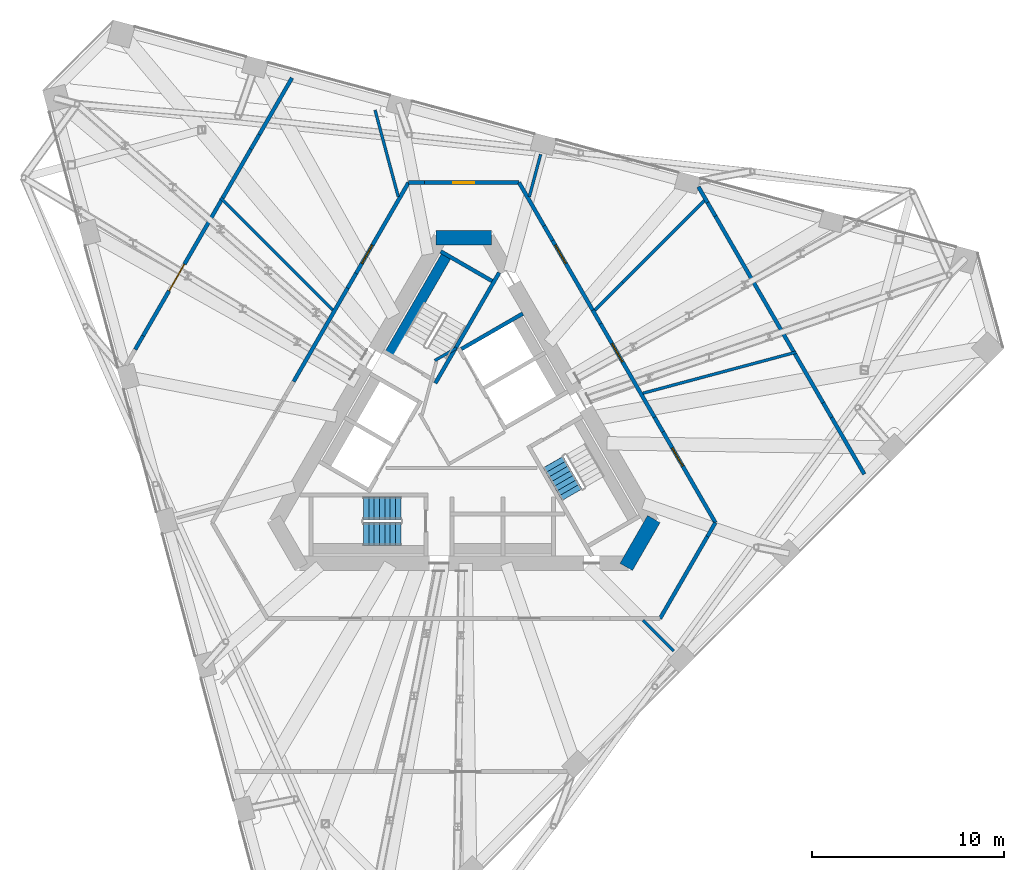
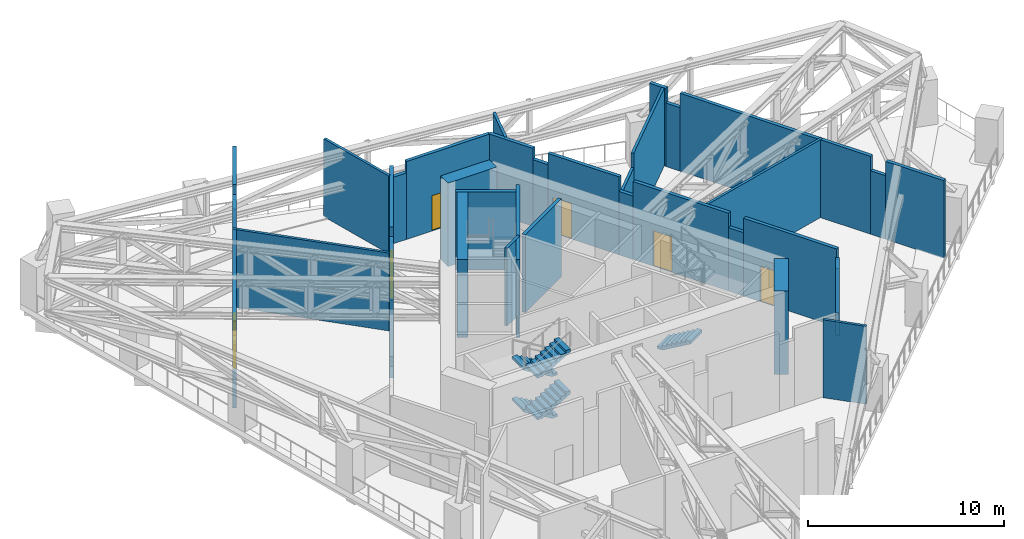
# One storey, part 15 of 22: 37 walls, 6 doors, 5 stair flights, 6 openings, 2 elements without a shape of their own.
"""IFC4 building model written with IfcOpenShell, lengths in metres."""

from ifc_helpers import new_model, si_unit, direction, frame, frame_2d, origin, place, context, subcontext, project, spatial, polyline, rectangle, outline, extrude, material, layer, layer_set, type_object, element, fill, aggregate, save


model = new_model("IFC4")

# Units and contexts
model_context = context("Model", 3, precision=1e-05, world=origin(), true_north=direction((0.0, 1.0)))
body_context = subcontext(model_context, "Body", "Model", "MODEL_VIEW")
ifc_project = project(units=[si_unit("LENGTHUNIT", "METRE"), si_unit("AREAUNIT", "SQUARE_METRE"), si_unit("VOLUMEUNIT", "CUBIC_METRE"), si_unit("PLANEANGLEUNIT", "RADIAN"), si_unit("MASSUNIT", "GRAM", prefix="KILO")], contexts=[model_context])

# Site, building, storey
site_placement = place(None, origin())
site = spatial("IfcSite", under=ifc_project, at=site_placement, CompositionType="ELEMENT")
building_placement = place(site_placement, origin())
building = spatial("IfcBuilding", under=site, at=building_placement, Name="Tramontana Tower", CompositionType="ELEMENT")
storey_placement = place(building_placement, frame((0.0, 0.0, 232.0)))
storey = spatial("IfcBuildingStorey", under=building, at=storey_placement, Name="L54", CompositionType="ELEMENT", Elevation=232.0)

# Walls
ifc_material_1 = material(Name="Concrete 70 MPa", Category="concrete")
ifc_layer_1 = layer(ifc_material_1, 0.75)
ifc_layer_set_1 = layer_set([ifc_layer_1], Name="Core wall 750 70 MPa")
wall_type_1 = type_object("IfcWallType", Name="Core wall 750 70 MPa", PredefinedType="SHEAR", material=ifc_layer_set_1)
for number, where, z_axis, x_axis, name in (
    (1, (1.443359375, 10.625, 0.0), (0.0, 0.0, 1.0), (-1.0, 0.0, 0.0), "Core wall C0 L54"),
    (2, (8.479736328125, -6.5625, 0.0), (0.0, 0.0, 1.0), (0.499995765644, 0.866027848477, 0.0), "Core wall C4 L54"),
):
    element("IfcWall", number, at=place(storey_placement, frame(where, z_axis=z_axis, x_axis=x_axis)), inside=storey, type_object=wall_type_1, Name=name, PredefinedType="SHEAR", context=body_context, shape_type="SweptSolid", body=[
        extrude(rectangle(XDim=2.88671875, YDim=0.75, at=frame_2d((1.443359375, 0.0))), origin(), (0.0, 0.0, 1.0), 5.199951171875),
    ])
ifc_material_2 = material(Name="Blockwork", Category="masonry")
ifc_layer_2 = layer(ifc_material_2, 0.199951171875)
ifc_layer_set_2 = layer_set([ifc_layer_2], Name="ENCLOSURE WALL 200")
wall_type_2 = type_object("IfcWallType", Name="ENCLOSURE WALL 200", PredefinedType="SOLIDWALL", material=ifc_layer_set_2)
wall_1_placement = place(storey_placement, frame((12.250244140625, 13.281982421875, 0.0), z_axis=(0.0, 0.0, 1.0), x_axis=(0.499952260202, -0.866052964615, 0.0)))
element("IfcWall", 3, at=wall_1_placement, inside=storey, type_object=wall_type_2, Name="Wall enc0-0", PredefinedType="SOLIDWALL", context=body_context, shape_type="SweptSolid", body=[
    extrude(rectangle(XDim=0.9501953125, YDim=0.199951171875, at=frame_2d((0.47509765625, 0.0))), origin(), (0.0, 0.0, 1.0), 4.85009765625),
])
wall_2_placement = place(storey_placement, frame((12.725341796875, 12.458984375, 0.0), z_axis=(0.0, 0.0, 1.0), x_axis=(0.500134012897, -0.865948017576, 0.0)))
element("IfcWall", 4, at=wall_2_placement, inside=storey, type_object=wall_type_2, Name="Wall enc0-1", PredefinedType="SOLIDWALL", context=body_context, shape_type="SweptSolid", body=[
    extrude(rectangle(XDim=0.821533203125, YDim=0.199951171875, at=frame_2d((0.41064453125, 0.0))), origin(), (0.0, 0.0, 1.0), 3.949951171875),
])
wall_3_placement = place(storey_placement, frame((13.13623046875, 11.74755859375, 0.0), z_axis=(0.0, 0.0, 1.0), x_axis=(0.499993666936, -0.86602906015, 0.0)))
element("IfcWall", 5, at=wall_3_placement, inside=storey, type_object=wall_type_2, Name="Wall enc0-2", PredefinedType="SOLIDWALL", context=body_context, shape_type="SweptSolid", body=[
    extrude(rectangle(XDim=11.246826171875, YDim=0.199951171875, at=frame_2d((5.62353515625, 0.0))), origin(), (0.0, 0.0, 1.0), 4.85009765625),
])
wall_4_placement = place(storey_placement, frame((18.759521484375, 2.007568359375, 0.0), z_axis=(0.0, 0.0, 1.0), x_axis=(0.499913830031, -0.866075148324, 0.0)))
element("IfcWall", 6, at=wall_4_placement, inside=storey, type_object=wall_type_2, Name="Wall enc0-3", PredefinedType="SOLIDWALL", context=body_context, shape_type="SweptSolid", body=[
    extrude(rectangle(XDim=0.883544921875, YDim=0.199951171875, at=frame_2d((0.44189453125, 0.0))), origin(), (0.0, 0.0, 1.0), 3.949951171875),
])
wall_5_placement = place(storey_placement, frame((19.201171875, 1.242431640625, 0.0), z_axis=(0.0, 0.0, 1.0), x_axis=(0.50004193257, -0.86600119265, 0.0)))
element("IfcWall", 7, at=wall_5_placement, inside=storey, type_object=wall_type_2, Name="Wall enc0-4", PredefinedType="SOLIDWALL", context=body_context, shape_type="SweptSolid", body=[
    extrude(rectangle(XDim=3.417724609375, YDim=0.199951171875, at=frame_2d((1.708984375, 0.0))), origin(), (0.0, 0.0, 1.0), 4.85009765625),
])
wall_6_placement = place(storey_placement, frame((-17.15234375, 4.791015625, 0.0), z_axis=(0.0, 0.0, 1.0), x_axis=(0.499911126926, 0.866076708598, 0.0)))
element("IfcWall", 8, at=wall_6_placement, inside=storey, type_object=wall_type_2, Name="Wall enc2-1", PredefinedType="SOLIDWALL", context=body_context, shape_type="SweptSolid", body=[
    extrude(rectangle(XDim=0.821533203125, YDim=0.199951171875, at=frame_2d((0.41064453125, 0.0))), origin(), (0.0, 0.0, 1.0), 3.949951171875),
])

# Wall, opening, door
wall_7_placement = place(storey_placement, frame((-16.74169921875, 5.50244140625, 0.0), z_axis=(0.0, 0.0, 1.0), x_axis=(0.499993666936, 0.86602906015, 0.0)))
wall_7 = element("IfcWall", 9, at=wall_7_placement, inside=storey, type_object=wall_type_2, Name="Wall enc2-2", PredefinedType="SOLIDWALL", context=body_context, shape_type="SweptSolid", body=[
    extrude(rectangle(XDim=11.246826171875, YDim=0.199951171875, at=frame_2d((5.62353515625, 0.0))), origin(), (0.0, 0.0, 1.0), 4.85009765625),
])
opening_1_placement = place(wall_7_placement, frame((2.715087890625, 0.0, 0.0)))
opening_1 = element("IfcOpeningElement", 10, at=opening_1_placement, cuts=wall_7, Name="Opening L54-10", PredefinedType="OPENING", context=body_context, shape_type="SweptSolid", body=[
    extrude(rectangle(XDim=1.60009765625, YDim=2.300048828125, at=frame_2d((0.800048828125, 1.14990234375))), frame((0.0, 0.10986328125, 0.0), z_axis=(0.0, -1.0, 0.0), x_axis=(1.0, 0.0, 0.0)), (0.0, 0.0, 1.0), 0.219970703125),
])
ifc_material_3 = material(Name="Painted timber", Category="wood")
door_type_1 = type_object("IfcDoorType", Name="DOOR WIDE 1600", OperationType="SINGLE_SWING_LEFT", PredefinedType="DOOR", material=ifc_material_3)
door_1_placement = place(opening_1_placement, origin())
door_1 = element("IfcDoor", 11, at=door_1_placement, inside=storey, type_object=door_type_1, Name="Door L54-10", OperationType="DOUBLE_DOOR_SINGLE_SWING", OverallHeight=2.300048828125, OverallWidth=1.60009765625, PredefinedType="DOOR", context=body_context, shape_type="SweptSolid", body=[
    extrude(rectangle(XDim=1.60009765625, YDim=2.300048828125, at=frame_2d((0.800048828125, 1.14990234375))), frame((0.0, 0.02490234375, 0.0), z_axis=(0.0, -1.0, 0.0), x_axis=(1.0, 0.0, 0.0)), (0.0, 0.0, 1.0), 0.050048828125),
])
fill(opening_1, door_1)

# Walls
wall_8_placement = place(storey_placement, frame((-11.118408203125, 15.242431640625, 0.0), z_axis=(0.0, 0.0, 1.0), x_axis=(0.500121072013, 0.86595549154, 0.0)))
element("IfcWall", 12, at=wall_8_placement, inside=storey, type_object=wall_type_2, Name="Wall enc2-3", PredefinedType="SOLIDWALL", context=body_context, shape_type="SweptSolid", body=[
    extrude(rectangle(XDim=0.883544921875, YDim=0.199951171875, at=frame_2d((0.44189453125, 0.0))), origin(), (0.0, 0.0, 1.0), 3.949951171875),
])
wall_9_placement = place(storey_placement, frame((-10.676513671875, 16.007568359375, 0.0), z_axis=(0.0, 0.0, 1.0), x_axis=(0.499988356774, 0.8660321259, 0.0)))
element("IfcWall", 13, at=wall_9_placement, inside=storey, type_object=wall_type_2, Name="Wall enc2-4", PredefinedType="SOLIDWALL", context=body_context, shape_type="SweptSolid", body=[
    extrude(rectangle(XDim=3.41748046875, YDim=0.199951171875, at=frame_2d((1.708740234375, 0.0))), origin(), (0.0, 0.0, 1.0), 4.85009765625),
])
ifc_material_4 = material(Name="Blockwork", Category="masonry")
ifc_layer_3 = layer(ifc_material_4, 0.199951171875)
ifc_layer_set_3 = layer_set([ifc_layer_3], Name="ENTRY WALL 200")
wall_type_3 = type_object("IfcWallType", Name="ENTRY WALL 200", PredefinedType="SOLIDWALL", material=ifc_layer_set_3)
wall_10_placement = place(storey_placement, frame((2.88671875, 13.5, 0.0), z_axis=(0.0, 0.0, 1.0), x_axis=(0.500001094379, -0.866024771944, 0.0)))
element("IfcWall", 14, at=wall_10_placement, inside=storey, type_object=wall_type_3, Name="Wall ew0-0", PredefinedType="SOLIDWALL", context=body_context, shape_type="SweptSolid", body=[
    extrude(rectangle(XDim=2.60400390625, YDim=0.199951171875, at=frame_2d((1.302001953125, 0.0))), origin(), (0.0, 0.0, 1.0), 4.85009765625),
])
wall_11_placement = place(storey_placement, frame((4.188720703125, 11.244873046875, 0.0), z_axis=(0.0, 0.0, 1.0), x_axis=(0.500016243463, -0.866016025414, 0.0)))
element("IfcWall", 15, at=wall_11_placement, inside=storey, type_object=wall_type_3, Name="Wall ew0-1", PredefinedType="SOLIDWALL", context=body_context, shape_type="SweptSolid", body=[
    extrude(rectangle(XDim=0.88720703125, YDim=0.199951171875, at=frame_2d((0.443603515625, 0.0))), origin(), (0.0, 0.0, 1.0), 4.14990234375),
])

# Wall, opening, door
wall_12_placement = place(storey_placement, frame((4.63232421875, 10.4765625, 0.0), z_axis=(0.0, 0.0, 1.0), x_axis=(0.499984573973, -0.866034309822, 0.0)))
wall_12 = element("IfcWall", 16, at=wall_12_placement, inside=storey, type_object=wall_type_3, Name="Wall ew0-2", PredefinedType="SOLIDWALL", context=body_context, shape_type="SweptSolid", body=[
    extrude(rectangle(XDim=4.192626953125, YDim=0.199951171875, at=frame_2d((2.09619140625, 0.0))), origin(), (0.0, 0.0, 1.0), 4.85009765625),
])
opening_2_placement = place(wall_12_placement, frame((0.27880859375, 0.0, 0.0)))
opening_2 = element("IfcOpeningElement", 17, at=opening_2_placement, cuts=wall_12, Name="Opening L54-07", PredefinedType="OPENING", context=body_context, shape_type="SweptSolid", body=[
    extrude(rectangle(XDim=1.10009765625, YDim=2.199951171875, at=frame_2d((0.550048828125, 1.10009765625))), frame((0.0, 0.10986328125, 0.0), z_axis=(0.0, -1.0, 0.0), x_axis=(1.0, 0.0, 0.0)), (0.0, 0.0, 1.0), 0.219970703125),
])
ifc_material_5 = material(Name="Painted steel", Category="steel")
door_type_2 = type_object("IfcDoorType", Name="PLANT DOOR 1100", OperationType="SINGLE_SWING_LEFT", PredefinedType="DOOR", material=ifc_material_5)
door_2_placement = place(opening_2_placement, origin())
door_2 = element("IfcDoor", 18, at=door_2_placement, inside=storey, type_object=door_type_2, Name="Door L54-07", OperationType="SINGLE_SWING_LEFT", OverallHeight=2.199951171875, OverallWidth=1.10009765625, PredefinedType="DOOR", context=body_context, shape_type="SweptSolid", body=[
    extrude(rectangle(XDim=1.10009765625, YDim=2.199951171875, at=frame_2d((0.550048828125, 1.10009765625))), frame((0.0, 0.02490234375, 0.0), z_axis=(0.0, -1.0, 0.0), x_axis=(1.0, 0.0, 0.0)), (0.0, 0.0, 1.0), 0.050048828125),
])
fill(opening_2, door_2)

# Wall
wall_13_placement = place(storey_placement, frame((6.728515625, 6.845703125, 0.0), z_axis=(0.0, 0.0, 1.0), x_axis=(0.500039835994, -0.866002403241, 0.0)))
element("IfcWall", 19, at=wall_13_placement, inside=storey, type_object=wall_type_3, Name="Wall ew0-3", PredefinedType="SOLIDWALL", context=body_context, shape_type="SweptSolid", body=[
    extrude(rectangle(XDim=0.8212890625, YDim=0.199951171875, at=frame_2d((0.41064453125, 0.0))), origin(), (0.0, 0.0, 1.0), 3.949951171875),
])

# Wall, opening, door
wall_14_placement = place(storey_placement, frame((7.13916015625, 6.134521484375, 0.0), z_axis=(0.0, 0.0, 1.0), x_axis=(0.500006198144, -0.866021825255, 0.0)))
wall_14 = element("IfcWall", 20, at=wall_14_placement, inside=storey, type_object=wall_type_3, Name="Wall ew0-4", PredefinedType="SOLIDWALL", context=body_context, shape_type="SweptSolid", body=[
    extrude(rectangle(XDim=5.6357421875, YDim=0.199951171875, at=frame_2d((2.81787109375, 0.0))), origin(), (0.0, 0.0, 1.0), 4.85009765625),
])
opening_3_placement = place(wall_14_placement, frame((1.19287109375, 0.0, 0.0)))
opening_3 = element("IfcOpeningElement", 21, at=opening_3_placement, cuts=wall_14, Name="Opening L54-06", PredefinedType="OPENING", context=body_context, shape_type="SweptSolid", body=[
    extrude(rectangle(XDim=1.10009765625, YDim=2.199951171875, at=frame_2d((0.550048828125, 1.10009765625))), frame((0.0, 0.10986328125, 0.0), z_axis=(0.0, -1.0, 0.0), x_axis=(1.0, 0.0, 0.0)), (0.0, 0.0, 1.0), 0.219970703125),
])
door_3_placement = place(opening_3_placement, origin())
door_3 = element("IfcDoor", 22, at=door_3_placement, inside=storey, type_object=door_type_2, Name="Door L54-06", OperationType="SINGLE_SWING_RIGHT", OverallHeight=2.199951171875, OverallWidth=1.10009765625, PredefinedType="DOOR", context=body_context, shape_type="SweptSolid", body=[
    extrude(rectangle(XDim=1.10009765625, YDim=2.199951171875, at=frame_2d((0.550048828125, 1.10009765625))), frame((0.0, 0.02490234375, 0.0), z_axis=(0.0, -1.0, 0.0), x_axis=(1.0, 0.0, 0.0)), (0.0, 0.0, 1.0), 0.050048828125),
])
fill(opening_3, door_3)

# Wall
wall_15_placement = place(storey_placement, frame((9.95703125, 1.25390625, 0.0), z_axis=(0.0, 0.0, 1.0), x_axis=(0.499913830031, -0.866075148324, 0.0)))
element("IfcWall", 23, at=wall_15_placement, inside=storey, type_object=wall_type_3, Name="Wall ew0-5", PredefinedType="SOLIDWALL", context=body_context, shape_type="SweptSolid", body=[
    extrude(rectangle(XDim=0.883544921875, YDim=0.199951171875, at=frame_2d((0.44189453125, 0.0))), origin(), (0.0, 0.0, 1.0), 3.949951171875),
])

# Wall, opening, door
wall_16_placement = place(storey_placement, frame((10.398681640625, 0.48876953125, 0.0), z_axis=(0.0, 0.0, 1.0), x_axis=(0.500021123982, -0.866013207504, 0.0)))
wall_16 = element("IfcWall", 24, at=wall_16_placement, inside=storey, type_object=wall_type_3, Name="Wall ew0-6", PredefinedType="SOLIDWALL", context=body_context, shape_type="SweptSolid", body=[
    extrude(rectangle(XDim=5.471923828125, YDim=0.199951171875, at=frame_2d((2.73583984375, 0.0))), origin(), (0.0, 0.0, 1.0), 4.85009765625),
])
opening_4_placement = place(wall_16_placement, frame((0.9697265625, 0.0, 0.0)))
opening_4 = element("IfcOpeningElement", 25, at=opening_4_placement, cuts=wall_16, Name="Opening L54-05", PredefinedType="OPENING", context=body_context, shape_type="SweptSolid", body=[
    extrude(rectangle(XDim=1.10009765625, YDim=2.199951171875, at=frame_2d((0.550048828125, 1.10009765625))), frame((0.0, 0.10986328125, 0.0), z_axis=(0.0, -1.0, 0.0), x_axis=(1.0, 0.0, 0.0)), (0.0, 0.0, 1.0), 0.219970703125),
])
door_4_placement = place(opening_4_placement, origin())
door_4 = element("IfcDoor", 26, at=door_4_placement, inside=storey, type_object=door_type_2, Name="Door L54-05", OperationType="SINGLE_SWING_LEFT", OverallHeight=2.199951171875, OverallWidth=1.10009765625, PredefinedType="DOOR", context=body_context, shape_type="SweptSolid", body=[
    extrude(rectangle(XDim=1.10009765625, YDim=2.199951171875, at=frame_2d((0.550048828125, 1.10009765625))), frame((0.0, 0.02490234375, 0.0), z_axis=(0.0, -1.0, 0.0), x_axis=(1.0, 0.0, 0.0)), (0.0, 0.0, 1.0), 0.050048828125),
])
fill(opening_4, door_4)

# Walls
wall_17_placement = place(storey_placement, frame((13.134765625, -4.25, 0.0), z_axis=(0.0, 0.0, 1.0), x_axis=(-0.499966538646, -0.866044721844, 0.0)))
element("IfcWall", 27, at=wall_17_placement, inside=storey, type_object=wall_type_3, Name="Wall ew1-0", PredefinedType="SOLIDWALL", context=body_context, shape_type="SweptSolid", body=[
    extrude(rectangle(XDim=0.8369140625, YDim=0.199951171875, at=frame_2d((0.41845703125, 0.0))), origin(), (0.0, 0.0, 1.0), 4.14990234375),
])
wall_18_placement = place(storey_placement, frame((12.71630859375, -4.974853515625, 0.0), z_axis=(0.0, 0.0, 1.0), x_axis=(-0.500000720929, -0.866024987556, 0.0)))
element("IfcWall", 28, at=wall_18_placement, inside=storey, type_object=wall_type_3, Name="Wall ew1-1", PredefinedType="SOLIDWALL", context=body_context, shape_type="SweptSolid", body=[
    extrude(rectangle(XDim=4.9365234375, YDim=0.199951171875, at=frame_2d((2.46826171875, 0.0))), origin(), (0.0, 0.0, 1.0), 4.85009765625),
])
wall_19_placement = place(storey_placement, frame((-8.88232421875, 3.115478515625, 0.0), z_axis=(0.0, 0.0, 1.0), x_axis=(0.500006198144, 0.866021825255, 0.0)))
element("IfcWall", 29, at=wall_19_placement, inside=storey, type_object=wall_type_3, Name="Wall ew4-4", PredefinedType="SOLIDWALL", context=body_context, shape_type="SweptSolid", body=[
    extrude(rectangle(XDim=5.6357421875, YDim=0.199951171875, at=frame_2d((2.81787109375, 0.0))), origin(), (0.0, 0.0, 1.0), 4.85009765625),
])
wall_20_placement = place(storey_placement, frame((-6.064453125, 7.99609375, 0.0), z_axis=(0.0, 0.0, 1.0), x_axis=(0.499913830031, 0.866075148324, 0.0)))
element("IfcWall", 30, at=wall_20_placement, inside=storey, type_object=wall_type_3, Name="Wall ew4-5", PredefinedType="SOLIDWALL", context=body_context, shape_type="SweptSolid", body=[
    extrude(rectangle(XDim=0.883544921875, YDim=0.199951171875, at=frame_2d((0.44189453125, 0.0))), origin(), (0.0, 0.0, 1.0), 3.949951171875),
])

# Wall, opening, door
wall_21_placement = place(storey_placement, frame((-5.622802734375, 8.76123046875, 0.0), z_axis=(0.0, 0.0, 1.0), x_axis=(0.500021123982, 0.866013207504, 0.0)))
wall_21 = element("IfcWall", 31, at=wall_21_placement, inside=storey, type_object=wall_type_3, Name="Wall ew4-6", PredefinedType="SOLIDWALL", context=body_context, shape_type="SweptSolid", body=[
    extrude(rectangle(XDim=5.471923828125, YDim=0.199951171875, at=frame_2d((2.73583984375, 0.0))), origin(), (0.0, 0.0, 1.0), 4.85009765625),
])
opening_5_placement = place(wall_21_placement, frame((0.601806640625, 0.0, 0.0)))
opening_5 = element("IfcOpeningElement", 32, at=opening_5_placement, cuts=wall_21, Name="Opening L54-09", PredefinedType="OPENING", context=body_context, shape_type="SweptSolid", body=[
    extrude(rectangle(XDim=1.10009765625, YDim=2.199951171875, at=frame_2d((0.550048828125, 1.10009765625))), frame((0.0, 0.10986328125, 0.0), z_axis=(0.0, -1.0, 0.0), x_axis=(1.0, 0.0, 0.0)), (0.0, 0.0, 1.0), 0.219970703125),
])
door_5_placement = place(opening_5_placement, origin())
door_5 = element("IfcDoor", 33, at=door_5_placement, inside=storey, type_object=door_type_2, Name="Door L54-09", OperationType="SINGLE_SWING_LEFT", OverallHeight=2.199951171875, OverallWidth=1.10009765625, PredefinedType="DOOR", context=body_context, shape_type="SweptSolid", body=[
    extrude(rectangle(XDim=1.10009765625, YDim=2.199951171875, at=frame_2d((0.550048828125, 1.10009765625))), frame((0.0, 0.02490234375, 0.0), z_axis=(0.0, -1.0, 0.0), x_axis=(1.0, 0.0, 0.0)), (0.0, 0.0, 1.0), 0.050048828125),
])
fill(opening_5, door_5)

# Wall
wall_22_placement = place(storey_placement, frame((-2.88671875, 13.5, 0.0), z_axis=(0.0, 0.0, 1.0), x_axis=(1.0, 0.0, 0.0)))
element("IfcWall", 34, at=wall_22_placement, inside=storey, type_object=wall_type_3, Name="Wall ew5-0", PredefinedType="SOLIDWALL", context=body_context, shape_type="SweptSolid", body=[
    extrude(rectangle(XDim=0.8369140625, YDim=0.199951171875, at=frame_2d((0.41845703125, 0.0))), origin(), (0.0, 0.0, 1.0), 4.14990234375),
])

# Wall, opening, door
wall_23_placement = place(storey_placement, frame((-2.0498046875, 13.5, 0.0), z_axis=(0.0, 0.0, 1.0), x_axis=(1.0, 0.0, 0.0)))
wall_23 = element("IfcWall", 35, at=wall_23_placement, inside=storey, type_object=wall_type_3, Name="Wall ew5-1", PredefinedType="SOLIDWALL", context=body_context, shape_type="SweptSolid", body=[
    extrude(rectangle(XDim=4.9365234375, YDim=0.199951171875, at=frame_2d((2.46826171875, 0.0))), origin(), (0.0, 0.0, 1.0), 4.85009765625),
])
opening_6_placement = place(wall_23_placement, frame((1.499755859375, 0.0, 0.0)))
opening_6 = element("IfcOpeningElement", 36, at=opening_6_placement, cuts=wall_23, Name="Opening L54-08", PredefinedType="OPENING", context=body_context, shape_type="SweptSolid", body=[
    extrude(rectangle(XDim=1.10009765625, YDim=2.199951171875, at=frame_2d((0.550048828125, 1.10009765625))), frame((0.0, 0.10986328125, 0.0), z_axis=(0.0, -1.0, 0.0), x_axis=(1.0, 0.0, 0.0)), (0.0, 0.0, 1.0), 0.219970703125),
])
door_6_placement = place(opening_6_placement, origin())
door_6 = element("IfcDoor", 37, at=door_6_placement, inside=storey, type_object=door_type_2, Name="Door L54-08", OperationType="SINGLE_SWING_RIGHT", OverallHeight=2.199951171875, OverallWidth=1.10009765625, PredefinedType="DOOR", context=body_context, shape_type="SweptSolid", body=[
    extrude(rectangle(XDim=1.10009765625, YDim=2.199951171875, at=frame_2d((0.550048828125, 1.10009765625))), frame((0.0, 0.02490234375, 0.0), z_axis=(0.0, -1.0, 0.0), x_axis=(1.0, 0.0, 0.0)), (0.0, 0.0, 1.0), 0.050048828125),
])
fill(opening_6, door_6)

# Walls
ifc_material_6 = material(Name="Gypsum board partition")
ifc_layer_4 = layer(ifc_material_6, 0.14990234375)
ifc_layer_set_4 = layer_set([ifc_layer_4], Name="PARTITION 150")
wall_type_4 = type_object("IfcWallType", Name="PARTITION 150", PredefinedType="PARTITIONING", material=ifc_layer_set_4)
wall_24_placement = place(storey_placement, frame((-1.509765625, 4.21484375, 0.0), z_axis=(0.0, 0.0, 1.0), x_axis=(0.866085525409, 0.49989585183, 0.0)))
element("IfcWall", 38, at=wall_24_placement, inside=storey, type_object=wall_type_4, Name="Wall ff-end1", PredefinedType="PARTITIONING", context=body_context, shape_type="SweptSolid", body=[
    extrude(rectangle(XDim=1.300048828125, YDim=0.14990234375, at=frame_2d((0.64990234375, 0.0))), origin(), (0.0, 0.0, 1.0), 4.85009765625),
])
wall_25_placement = place(storey_placement, frame((-12.700927734375, 12.700927734375, 0.0), z_axis=(0.0, 0.0, 1.0), x_axis=(0.707106781187, -0.707106781187, 0.0)))
element("IfcWall", 39, at=wall_25_placement, inside=storey, type_object=wall_type_4, Name="Wall fw-pw01", PredefinedType="PARTITIONING", context=body_context, shape_type="SweptSolid", body=[
    extrude(rectangle(XDim=8.281982421875, YDim=0.14990234375, at=frame_2d((4.14111328125, 0.0))), origin(), (0.0, 0.0, 1.0), 4.85009765625),
])
wall_26_placement = place(storey_placement, frame((-3.42236328125, 12.772216796875, 0.0), z_axis=(0.0, 0.0, 1.0), x_axis=(-0.258806561715, 0.965929171116, 0.0)))
element("IfcWall", 40, at=wall_26_placement, inside=storey, type_object=wall_type_4, Name="Wall fw-pw03", PredefinedType="PARTITIONING", context=body_context, shape_type="SweptSolid", body=[
    extrude(rectangle(XDim=4.675048828125, YDim=0.14990234375, at=frame_2d((2.33740234375, 0.0))), origin(), (0.0, 0.0, 1.0), 4.85009765625),
])
wall_27_placement = place(storey_placement, frame((3.42236328125, 12.772216796875, 0.0), z_axis=(0.0, 0.0, 1.0), x_axis=(0.258796817064, 0.965931782, 0.0)))
element("IfcWall", 41, at=wall_27_placement, inside=storey, type_object=wall_type_4, Name="Wall fw-pw05", PredefinedType="PARTITIONING", context=body_context, shape_type="SweptSolid", body=[
    extrude(rectangle(XDim=2.27734375, YDim=0.14990234375, at=frame_2d((1.138671875, 0.0))), origin(), (0.0, 0.0, 1.0), 4.85009765625),
])
wall_28_placement = place(storey_placement, frame((6.8447265625, 6.8447265625, 0.0), z_axis=(0.0, 0.0, 1.0), x_axis=(0.707106781187, 0.707106781187, 0.0)))
element("IfcWall", 42, at=wall_28_placement, inside=storey, type_object=wall_type_4, Name="Wall fw-pw06-0", PredefinedType="PARTITIONING", context=body_context, shape_type="SweptSolid", body=[
    extrude(rectangle(XDim=2.048583984375, YDim=0.14990234375, at=frame_2d((1.0244140625, 0.0))), origin(), (0.0, 0.0, 1.0), 3.949951171875),
])
wall_29_placement = place(storey_placement, frame((8.293212890625, 8.293212890625, 0.0), z_axis=(0.0, 0.0, 1.0), x_axis=(0.707106781187, 0.707106781187, 0.0)))
element("IfcWall", 43, at=wall_29_placement, inside=storey, type_object=wall_type_4, Name="Wall fw-pw06-1", PredefinedType="PARTITIONING", context=body_context, shape_type="SweptSolid", body=[
    extrude(rectangle(XDim=6.169677734375, YDim=0.14990234375, at=frame_2d((3.0849609375, 0.0))), origin(), (0.0, 0.0, 1.0), 4.85009765625),
])
wall_30_placement = place(storey_placement, frame((9.35009765625, -9.35009765625, 0.0), z_axis=(0.0, 0.0, 1.0), x_axis=(0.707106781187, -0.707106781187, 0.0)))
element("IfcWall", 44, at=wall_30_placement, inside=storey, type_object=wall_type_4, Name="Wall fw-pw07", PredefinedType="PARTITIONING", context=body_context, shape_type="SweptSolid", body=[
    extrude(rectangle(XDim=2.277099609375, YDim=0.14990234375, at=frame_2d((1.138671875, 0.0))), origin(), (0.0, 0.0, 1.0), 4.85009765625),
])
wall_31_placement = place(storey_placement, frame((9.35009765625, 2.50537109375, 0.0), z_axis=(0.0, 0.0, 1.0), x_axis=(0.965925024381, 0.258822037845, 0.0)))
element("IfcWall", 45, at=wall_31_placement, inside=storey, type_object=wall_type_4, Name="Wall fw-pw08", PredefinedType="PARTITIONING", context=body_context, shape_type="SweptSolid", body=[
    extrude(rectangle(XDim=8.281982421875, YDim=0.14990234375, at=frame_2d((4.14111328125, 0.0))), origin(), (0.0, 0.0, 1.0), 4.85009765625),
])
ifc_material_7 = material(Name="Concrete 70 MPa", Category="concrete")
ifc_layer_5 = layer(ifc_material_7, 0.550048828125)
ifc_layer_set_5 = layer_set([ifc_layer_5], Name="Concrete 70 MPa, 550 mm")
wall_type_5 = type_object("IfcWallType", Name="RC SHAFT BACK WALL 550", PredefinedType="SOLIDWALL", material=ifc_layer_set_5)
wall_32_placement = place(storey_placement, frame((-0.831298828125, 9.81005859375, 0.0), z_axis=(0.0, 0.0, 1.0), x_axis=(-0.500009909098, -0.866019682689, 0.0)))
element("IfcWall", 46, at=wall_32_placement, inside=storey, type_object=wall_type_5, Name="Wall st1-back", PredefinedType="SOLIDWALL", context=body_context, shape_type="SweptSolid", body=[
    extrude(rectangle(XDim=6.199951171875, YDim=0.550048828125, at=frame_2d((3.10009765625, 0.0))), origin(), (0.0, 0.0, 1.0), 4.85009765625),
])
ifc_material_8 = material(Name="Concrete 70 MPa", Category="concrete")
ifc_layer_6 = layer(ifc_material_8, 0.199951171875)
ifc_layer_set_6 = layer_set([ifc_layer_6], Name="Concrete 70 MPa, 200 mm")
wall_type_6 = type_object("IfcWallType", Name="RC STAIR AND SHAFT WALL 200", PredefinedType="SOLIDWALL", material=ifc_layer_set_6)
wall_33_placement = place(storey_placement, frame((1.847412109375, 8.800048828125, 0.0), z_axis=(0.0, 0.0, 1.0), x_axis=(-0.499980354584, -0.866036745774, 0.0)))
element("IfcWall", 47, at=wall_33_placement, inside=storey, type_object=wall_type_6, Name="Wall st1-front", PredefinedType="SOLIDWALL", context=body_context, shape_type="SweptSolid", body=[
    extrude(rectangle(XDim=6.664794921875, YDim=0.199951171875, at=frame_2d((3.33251953125, 0.0))), origin(), (0.0, 0.0, 1.0), 4.85009765625),
])
wall_34_placement = place(storey_placement, frame((1.478515625, 8.36083984375, 0.0), z_axis=(0.0, 0.0, 1.0), x_axis=(-0.86600983753, 0.500026960575, 0.0)))
element("IfcWall", 48, at=wall_34_placement, inside=storey, type_object=wall_type_6, Name="Wall st1-far", PredefinedType="SOLIDWALL", context=body_context, shape_type="SweptSolid", body=[
    extrude(rectangle(XDim=3.099853515625, YDim=0.199951171875, at=frame_2d((1.5498046875, 0.0))), origin(), (0.0, 0.0, 1.0), 4.85009765625),
])
wall_35_placement = place(storey_placement, frame((-0.123046875, 4.813232421875, 0.0), z_axis=(0.0, 0.0, 1.0), x_axis=(0.866000971088, 0.500042316284, 0.0)))
element("IfcWall", 49, at=wall_35_placement, inside=storey, type_object=wall_type_6, Name="Wall row2-side2", PredefinedType="SOLIDWALL", context=body_context, shape_type="SweptSolid", body=[
    extrude(rectangle(XDim=3.699951171875, YDim=0.199951171875, at=frame_2d((1.85009765625, 0.0))), origin(), (0.0, 0.0, 1.0), 4.85009765625),
])

# Stair, stair flights
ifc_material_9 = material(Name="Concrete 40 MPa", Category="concrete")
stair_type = type_object("IfcStairType", Name="EXIT STAIR 32 RISERS", PredefinedType="HALF_TURN_STAIR", material=ifc_material_9)
stair_1_placement = place(storey_placement, origin())
stair_1 = element("IfcStair", 50, at=stair_1_placement, inside=storey, type_object=stair_type, Name="L54 Exit stair ST2", PredefinedType="HALF_TURN_STAIR")
ifc_material_10 = material(Name="Concrete 40 MPa", Category="concrete")
ifc_layer_7 = layer(ifc_material_10, 0.14990234375)
ifc_layer_set_7 = layer_set([ifc_layer_7], Name="EXIT STAIR FLIGHT")
stair_flight_type = type_object("IfcStairFlightType", Name="EXIT STAIR FLIGHT", PredefinedType="STRAIGHT", material=ifc_layer_set_7)
stair_flight_1_placement = place(storey_placement, frame((-3.280029296875, -3.5, 0.0), z_axis=(0.0, 0.0, 1.0), x_axis=(-1.0, 0.0, 0.0)))
stair_flight_1 = element("IfcStairFlight", 51, at=stair_flight_1_placement, type_object=stair_flight_type, Name="ST2 flight 1", NumberOfRisers=8, NumberOfTreads=7, PredefinedType="STRAIGHT", RiserHeight=0.1625, TreadLength=0.28, context=body_context, shape_type="SweptSolid", body=[
    extrude(outline(polyline([(-0.006103515625, 0.0), (-0.006103515625, 0.0400390625), (0.0, 0.0400390625), (0.0, 0.16259765625), (0.280029296875, 0.16259765625), (0.280029296875, 0.324951171875), (0.56005859375, 0.324951171875), (0.56005859375, 0.487548828125), (0.840087890625, 0.487548828125), (0.840087890625, 0.64990234375), (1.1201171875, 0.64990234375), (1.1201171875, 0.8125), (1.39990234375, 0.8125), (1.39990234375, 0.97509765625), (1.679931640625, 0.97509765625), (1.679931640625, 1.137451171875), (1.9599609375, 1.137451171875), (1.966064453125, 1.137451171875), (1.966064453125, 0.964111328125), (0.3046875, 0.0), (-0.006103515625, 0.0)])), frame((0.0, 0.60009765625, 0.0), z_axis=(0.0, -1.0, 0.0), x_axis=(1.0, 0.0, 0.0)), (0.0, 0.0, 1.0), 1.199951171875),
])
stair_flight_2_placement = place(storey_placement, frame((-5.239990234375, -4.85009765625, 1.300048828125), z_axis=(0.0, 0.0, 1.0), x_axis=(1.0, 0.0, 0.0)))
stair_flight_2 = element("IfcStairFlight", 52, at=stair_flight_2_placement, type_object=stair_flight_type, Name="ST2 flight 2", NumberOfRisers=8, NumberOfTreads=7, PredefinedType="STRAIGHT", RiserHeight=0.1625, TreadLength=0.28, context=body_context, shape_type="SweptSolid", body=[
    extrude(outline(polyline([(-0.006103515625, 0.0), (-0.006103515625, 0.0400390625), (0.0, 0.0400390625), (0.0, 0.16259765625), (0.280029296875, 0.16259765625), (0.280029296875, 0.324951171875), (0.56005859375, 0.324951171875), (0.56005859375, 0.487548828125), (0.840087890625, 0.487548828125), (0.840087890625, 0.64990234375), (1.1201171875, 0.64990234375), (1.1201171875, 0.8125), (1.39990234375, 0.8125), (1.39990234375, 0.97509765625), (1.679931640625, 0.97509765625), (1.679931640625, 1.137451171875), (1.9599609375, 1.137451171875), (1.966064453125, 1.137451171875), (1.966064453125, 0.964111328125), (0.3046875, 0.0), (-0.006103515625, 0.0)])), frame((0.0, 0.60009765625, 0.0), z_axis=(0.0, -1.0, 0.0), x_axis=(1.0, 0.0, 0.0)), (0.0, 0.0, 1.0), 1.199951171875),
])
stair_flight_3_placement = place(storey_placement, frame((-3.280029296875, -3.5, 2.60009765625), z_axis=(0.0, 0.0, 1.0), x_axis=(-1.0, 0.0, 0.0)))
stair_flight_3 = element("IfcStairFlight", 53, at=stair_flight_3_placement, type_object=stair_flight_type, Name="ST2 flight 3", NumberOfRisers=8, NumberOfTreads=7, PredefinedType="STRAIGHT", RiserHeight=0.1625, TreadLength=0.28, context=body_context, shape_type="SweptSolid", body=[
    extrude(outline(polyline([(-0.006103515625, 0.0), (-0.006103515625, 0.0400390625), (0.0, 0.0400390625), (0.0, 0.16259765625), (0.280029296875, 0.16259765625), (0.280029296875, 0.324951171875), (0.56005859375, 0.324951171875), (0.56005859375, 0.487548828125), (0.840087890625, 0.487548828125), (0.840087890625, 0.64990234375), (1.1201171875, 0.64990234375), (1.1201171875, 0.8125), (1.39990234375, 0.8125), (1.39990234375, 0.97509765625), (1.679931640625, 0.97509765625), (1.679931640625, 1.137451171875), (1.9599609375, 1.137451171875), (1.966064453125, 1.137451171875), (1.966064453125, 0.964111328125), (0.3046875, 0.0), (-0.006103515625, 0.0)])), frame((0.0, 0.60009765625, 0.0), z_axis=(0.0, -1.0, 0.0), x_axis=(1.0, 0.0, 0.0)), (0.0, 0.0, 1.0), 1.199951171875),
])
stair_flight_4_placement = place(storey_placement, frame((-5.239990234375, -4.85009765625, 3.89990234375), z_axis=(0.0, 0.0, 1.0), x_axis=(1.0, 0.0, 0.0)))
stair_flight_4 = element("IfcStairFlight", 54, at=stair_flight_4_placement, type_object=stair_flight_type, Name="ST2 flight 4", NumberOfRisers=8, NumberOfTreads=7, PredefinedType="STRAIGHT", RiserHeight=0.1625, TreadLength=0.28, context=body_context, shape_type="SweptSolid", body=[
    extrude(outline(polyline([(-0.006103515625, 0.0), (-0.006103515625, 0.0400390625), (0.0, 0.0400390625), (0.0, 0.16259765625), (0.280029296875, 0.16259765625), (0.280029296875, 0.324951171875), (0.56005859375, 0.324951171875), (0.56005859375, 0.487548828125), (0.840087890625, 0.487548828125), (0.840087890625, 0.64990234375), (1.1201171875, 0.64990234375), (1.1201171875, 0.8125), (1.39990234375, 0.8125), (1.39990234375, 0.97509765625), (1.679931640625, 0.97509765625), (1.679931640625, 1.137451171875), (1.9599609375, 1.137451171875), (1.966064453125, 1.137451171875), (1.966064453125, 0.964111328125), (0.3046875, 0.0), (-0.006103515625, 0.0)])), frame((0.0, 0.60009765625, 0.0), z_axis=(0.0, -1.0, 0.0), x_axis=(1.0, 0.0, 0.0)), (0.0, 0.0, 1.0), 1.199951171875),
])
aggregate(stair_1, [stair_flight_1, stair_flight_2, stair_flight_3, stair_flight_4])

# Stair, stair flight
stair_2_placement = place(storey_placement, origin())
stair_2 = element("IfcStair", 55, at=stair_2_placement, inside=storey, type_object=stair_type, Name="L54 Exit stair ST3", PredefinedType="HALF_TURN_STAIR")
stair_flight_5_placement = place(storey_placement, frame((4.671142578125, -1.090576171875, 0.0), z_axis=(0.0, 0.0, 1.0), x_axis=(0.5, -0.866025403784, 0.0)))
stair_flight_5 = element("IfcStairFlight", 56, at=stair_flight_5_placement, type_object=stair_flight_type, Name="ST3 flight 1", NumberOfRisers=8, NumberOfTreads=7, PredefinedType="STRAIGHT", RiserHeight=0.1625, TreadLength=0.28, context=body_context, shape_type="SweptSolid", body=[
    extrude(outline(polyline([(-0.006103515625, 0.0), (-0.006103515625, 0.0400390625), (0.0, 0.0400390625), (0.0, 0.16259765625), (0.280029296875, 0.16259765625), (0.280029296875, 0.324951171875), (0.56005859375, 0.324951171875), (0.56005859375, 0.487548828125), (0.840087890625, 0.487548828125), (0.840087890625, 0.64990234375), (1.1201171875, 0.64990234375), (1.1201171875, 0.8125), (1.39990234375, 0.8125), (1.39990234375, 0.97509765625), (1.679931640625, 0.97509765625), (1.679931640625, 1.137451171875), (1.9599609375, 1.137451171875), (1.966064453125, 1.137451171875), (1.966064453125, 0.964111328125), (0.3046875, 0.0), (-0.006103515625, 0.0)])), frame((0.0, 0.60009765625, 0.0), z_axis=(0.0, -1.0, 0.0), x_axis=(1.0, 0.0, 0.0)), (0.0, 0.0, 1.0), 1.199951171875),
])
aggregate(stair_2, [stair_flight_5])

save(model, "model.ifc")
